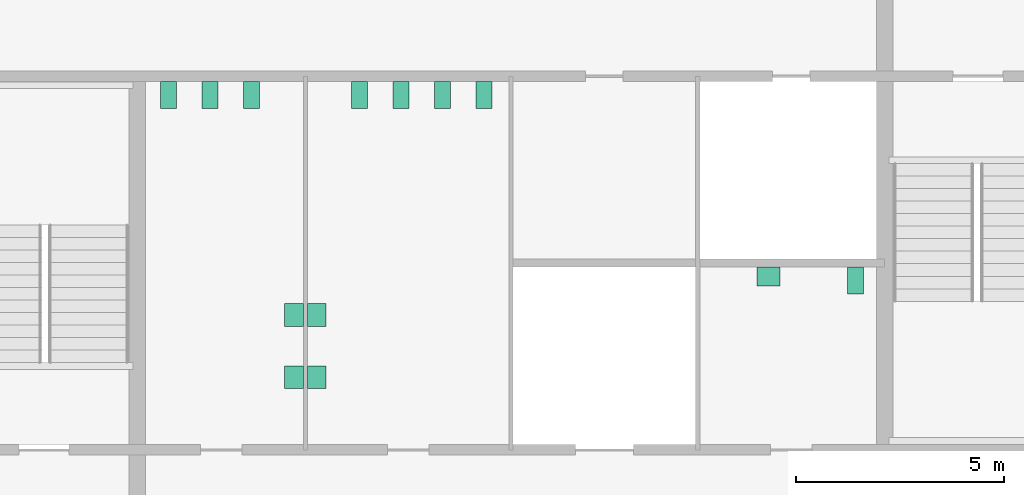
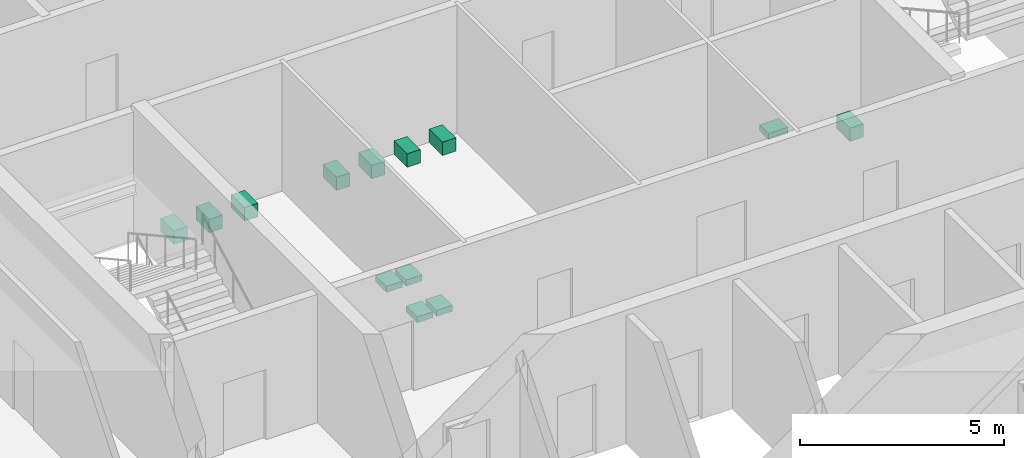
# One storey, part 12 of 12: 13 sanitary terminals.
"""IFC4 building model written with IfcOpenShell, lengths in metres."""

from ifc_helpers import new_model, si_unit, direction, frame, origin, origin_2d, place, context, subcontext, project, spatial, rectangle, extrude, material, type_object, element, save


model = new_model("IFC4")

# Units and contexts
model_context = context("Model", 3, precision=1e-05, world=origin(), true_north=direction((0.0, 1.0)))
body_context = subcontext(model_context, "Body", "Model", "MODEL_VIEW")
ifc_project = project(units=[si_unit("LENGTHUNIT", "METRE"), si_unit("AREAUNIT", "SQUARE_METRE"), si_unit("VOLUMEUNIT", "CUBIC_METRE"), si_unit("PLANEANGLEUNIT", "RADIAN"), si_unit("MASSUNIT", "GRAM", prefix="KILO")], contexts=[model_context])

# Site, building, storey
site_placement = place(None, origin())
site = spatial("IfcSite", under=ifc_project, at=site_placement, CompositionType="ELEMENT")
building_placement = place(site_placement, origin())
building = spatial("IfcBuilding", under=site, at=building_placement, Name="Corais Broadcast Tower", CompositionType="ELEMENT")
storey_placement = place(building_placement, frame((0.0, 0.0, 187.60009765625)))
storey = spatial("IfcBuildingStorey", under=building, at=storey_placement, Name="L43", CompositionType="ELEMENT", Elevation=187.60009765625)

# Sanitary terminals
ifc_material_1 = material(Name="Vitreous china", Category="ceramic")
sanitary_terminal_type_1 = type_object("IfcSanitaryTerminalType", Name="WC pan 380x650", PredefinedType="TOILETPAN", material=ifc_material_1)
for number, where, z_axis, x_axis, name in (
    (1, (18.75, 31.050048828125, 0.0), (0.0, 0.0, 1.0), (1.0, 0.0, 0.0), "SW1 WC pan, male toilets L43"),
    (2, (19.75, 31.050048828125, 0.0), (0.0, 0.0, 1.0), (1.0, 0.0, 0.0), "SW1 WC pan, male toilets L43"),
    (3, (20.75, 31.050048828125, 0.0), (0.0, 0.0, 1.0), (1.0, 0.0, 0.0), "SW1 WC pan, male toilets L43"),
    (4, (23.35009765625, 31.050048828125, 0.0), (0.0, 0.0, 1.0), (1.0, 0.0, 0.0), "SW1 WC pan, female toilets L43"),
    (5, (24.35009765625, 31.050048828125, 0.0), (0.0, 0.0, 1.0), (1.0, 0.0, 0.0), "SW1 WC pan, female toilets L43"),
    (6, (25.35009765625, 31.050048828125, 0.0), (0.0, 0.0, 1.0), (1.0, 0.0, 0.0), "SW1 WC pan, female toilets L43"),
    (7, (26.35009765625, 31.050048828125, 0.0), (0.0, 0.0, 1.0), (1.0, 0.0, 0.0), "SW1 WC pan, female toilets L43"),
    (8, (35.300048828125, 26.574951171875, 0.0), (0.0, 0.0, 1.0), (1.0, 0.0, 0.0), "SW1 WC pan, accessible WC L43"),
):
    element("IfcSanitaryTerminal", number, at=place(storey_placement, frame(where, z_axis=z_axis, x_axis=x_axis)), inside=storey, type_object=sanitary_terminal_type_1, Name=name, PredefinedType="TOILETPAN", context=body_context, shape_type="SweptSolid", body=[
        extrude(rectangle(XDim=0.3798828125, YDim=0.64990234375, at=origin_2d()), origin(), (0.0, 0.0, 1.0), 0.39990234375),
    ])
ifc_material_2 = material(Name="Vitreous china", Category="ceramic")
sanitary_terminal_type_2 = type_object("IfcSanitaryTerminalType", Name="Wash basin 550x450", PredefinedType="WASHHANDBASIN", material=ifc_material_2)
for number, where, z_axis, x_axis, name in (
    (9, (21.77490234375, 24.25, 0.69970703125), (0.0, 0.0, 1.0), (1.0, 0.0, 0.0), "WB1 wash basin, male toilets L43"),
    (10, (21.77490234375, 25.75, 0.69970703125), (0.0, 0.0, 1.0), (1.0, 0.0, 0.0), "WB1 wash basin, male toilets L43"),
    (11, (22.324951171875, 24.25, 0.69970703125), (0.0, 0.0, 1.0), (1.0, 0.0, 0.0), "WB1 wash basin, female toilets L43"),
    (12, (22.324951171875, 25.75, 0.69970703125), (0.0, 0.0, 1.0), (1.0, 0.0, 0.0), "WB1 wash basin, female toilets L43"),
):
    element("IfcSanitaryTerminal", number, at=place(storey_placement, frame(where, z_axis=z_axis, x_axis=x_axis)), inside=storey, type_object=sanitary_terminal_type_2, Name=name, PredefinedType="WASHHANDBASIN", context=body_context, shape_type="SweptSolid", body=[
        extrude(rectangle(XDim=0.449951171875, YDim=0.550048828125, at=origin_2d()), origin(), (0.0, 0.0, 1.0), 0.179931640625),
    ])
sanitary_terminal_placement = place(storey_placement, frame((33.199951171875, 26.675048828125, 0.69970703125), z_axis=(0.0, 0.0, 1.0), x_axis=(1.0, 0.0, 0.0)))
element("IfcSanitaryTerminal", 13, at=sanitary_terminal_placement, inside=storey, type_object=sanitary_terminal_type_2, Name="WB1 wash basin, accessible WC L43", PredefinedType="WASHHANDBASIN", context=body_context, shape_type="SweptSolid", body=[
    extrude(rectangle(XDim=0.550048828125, YDim=0.449951171875, at=origin_2d()), origin(), (0.0, 0.0, 1.0), 0.179931640625),
])

save(model, "model.ifc")
